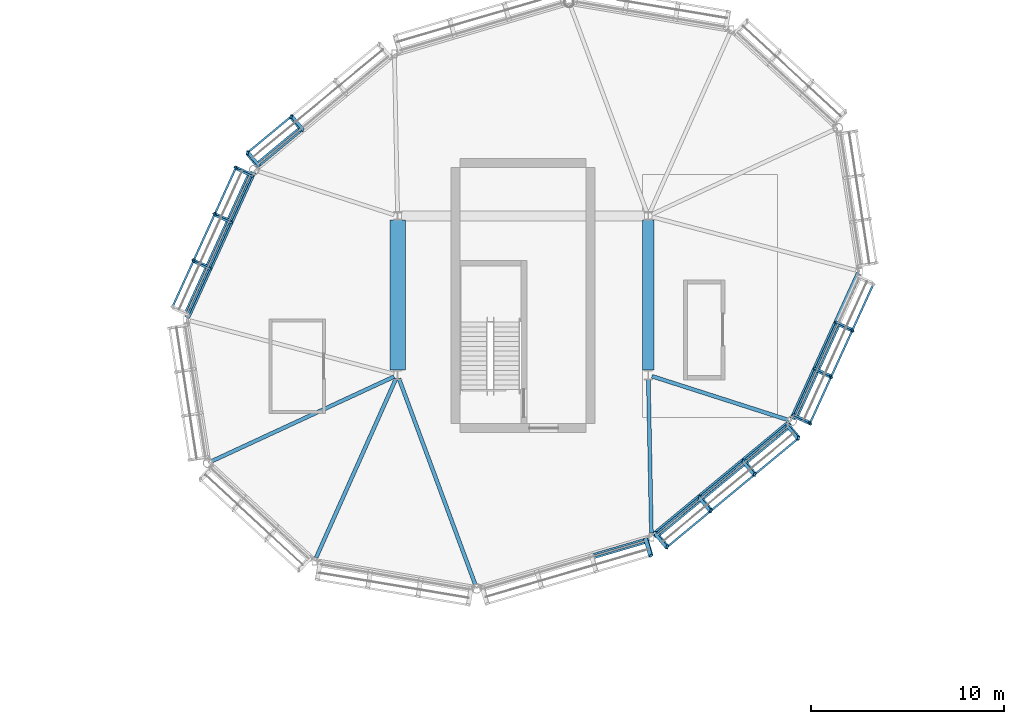
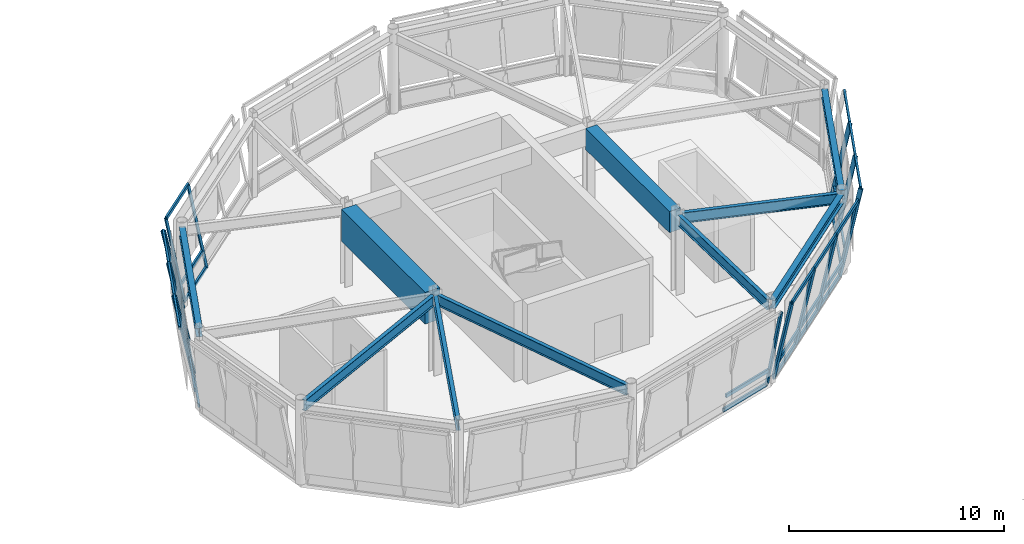
# One storey, part 56 of 94: 43 members, 10 beams, 5 elements without a shape of their own.
"""IFC4 building model written with IfcOpenShell, lengths in metres."""

from ifc_helpers import new_model, si_unit, direction, frame, origin, origin_2d, place, context, subcontext, project, spatial, rectangle, hollow_rectangle, i_section, extrude, material, material_profile, profile_set, type_object, element, aggregate, save


model = new_model("IFC4")

# Units and contexts
model_context = context("Model", 3, precision=1e-05, world=origin(), true_north=direction((0.0, 1.0)))
body_context = subcontext(model_context, "Body", "Model", "MODEL_VIEW")
ifc_project = project(units=[si_unit("LENGTHUNIT", "METRE"), si_unit("AREAUNIT", "SQUARE_METRE"), si_unit("VOLUMEUNIT", "CUBIC_METRE"), si_unit("PLANEANGLEUNIT", "RADIAN"), si_unit("MASSUNIT", "GRAM", prefix="KILO")], contexts=[model_context])

# Site, building, storey
site_placement = place(None, origin())
site = spatial("IfcSite", under=ifc_project, at=site_placement, CompositionType="ELEMENT")
building_placement = place(site_placement, origin())
building = spatial("IfcBuilding", under=site, at=building_placement, Name="Linyun Crest Stadium", CompositionType="ELEMENT")
storey_placement = place(building_placement, frame((0.0, 0.0, 16.199951171875)))
storey = spatial("IfcBuildingStorey", under=building, at=storey_placement, Name="L04", CompositionType="ELEMENT", Elevation=16.199951171875)

# Beams
ifc_material_1 = material(Name="Steel Q355C", Category="steel")
ifc_material_profile_1 = material_profile(ifc_material_1, i_section(OverallWidth=0.300048828125, OverallDepth=0.488037109375, WebThickness=0.010986328125, FlangeThickness=0.01806640625, at=origin_2d()), Name="HM 488x300")
ifc_profile_set_1 = profile_set([ifc_material_profile_1], Name="Steel Q355C")
beam_type_1 = type_object("IfcBeamType", Name="B08", PredefinedType="BEAM", material=ifc_profile_set_1)
beam_1_placement = place(storey_placement, frame((59.509033203125, 91.031005859375, 4.276123046875), z_axis=(-0.41441702614, -0.910087099373, 0.0), x_axis=(0.910087099373, -0.41441702614, 0.0)))
element("IfcBeam", 1, at=beam_1_placement, inside=storey, type_object=beam_type_1, Name="Pod ring girder B08 L04 129", PredefinedType="BEAM", context=body_context, shape_type="SweptSolid", body=[
    extrude(i_section(OverallWidth=0.300048828125, OverallDepth=0.488037109375, WebThickness=0.010986328125, FlangeThickness=0.01806640625, at=origin_2d()), origin(), (0.0, 0.0, 1.0), 8.2958984375),
])
beam_2_placement = place(storey_placement, frame((80.258056640625, 72.1640625, 4.276123046875), z_axis=(0.770371409823, 0.637595397512, 0.0), x_axis=(-0.637595397512, 0.770371409823, 0.0)))
element("IfcBeam", 2, at=beam_2_placement, inside=storey, type_object=beam_type_1, Name="Pod ring girder B08 L04 139", PredefinedType="BEAM", context=body_context, shape_type="SweptSolid", body=[
    extrude(i_section(OverallWidth=0.300048828125, OverallDepth=0.488037109375, WebThickness=0.010986328125, FlangeThickness=0.01806640625, at=origin_2d()), origin(), (0.0, 0.0, 1.0), 9.204833984375),
])
beam_3_placement = place(storey_placement, frame((87.490966796875, 78.218994140625, 4.276123046875), z_axis=(0.41441702614, 0.910087099373, 0.0), x_axis=(-0.910087099373, 0.41441702614, 0.0)))
element("IfcBeam", 3, at=beam_3_placement, inside=storey, type_object=beam_type_1, Name="Pod ring girder B08 L04 141", PredefinedType="BEAM", context=body_context, shape_type="SweptSolid", body=[
    extrude(i_section(OverallWidth=0.300048828125, OverallDepth=0.488037109375, WebThickness=0.010986328125, FlangeThickness=0.01806640625, at=origin_2d()), origin(), (0.0, 0.0, 1.0), 8.2958984375),
])
ifc_material_2 = material(Name="Steel Q355C", Category="steel")
ifc_material_profile_2 = material_profile(ifc_material_2, i_section(OverallWidth=0.199951171875, OverallDepth=0.60009765625, WebThickness=0.010986328125, FlangeThickness=0.01708984375, at=origin_2d()), Name="HN 600x200")
ifc_profile_set_2 = profile_set([ifc_material_profile_2], Name="Steel Q355C")
beam_type_2 = type_object("IfcBeamType", Name="B11", PredefinedType="BEAM", material=ifc_profile_set_2)
beam_4_placement = place(storey_placement, frame((66.819091796875, 80.416015625, 4.219970703125), z_axis=(-0.907241490816, -0.420610125106, 0.0), x_axis=(0.420610125106, -0.907241490816, 0.0)))
element("IfcBeam", 4, at=beam_4_placement, inside=storey, type_object=beam_type_2, Name="Pod radial tie girder B11 L04 134", PredefinedType="BEAM", context=body_context, shape_type="SweptSolid", body=[
    extrude(i_section(OverallWidth=0.199951171875, OverallDepth=0.60009765625, WebThickness=0.010986328125, FlangeThickness=0.01708984375, at=origin_2d()), origin(), (0.0, 0.0, 1.0), 10.420654296875),
])
beam_5_placement = place(storey_placement, frame((66.9189453125, 80.31689453125, 4.219970703125), z_axis=(-0.407495258441, -0.913207322763, 0.0), x_axis=(0.913207322763, -0.407495258441, 0.0)))
element("IfcBeam", 5, at=beam_5_placement, inside=storey, type_object=beam_type_2, Name="Pod radial tie girder B11 L04 136", PredefinedType="BEAM", context=body_context, shape_type="SweptSolid", body=[
    extrude(i_section(OverallWidth=0.199951171875, OverallDepth=0.60009765625, WebThickness=0.010986328125, FlangeThickness=0.01708984375, at=origin_2d()), origin(), (0.0, 0.0, 1.0), 10.1640625),
])
beam_6_placement = place(storey_placement, frame((67.070068359375, 80.31201171875, 4.219970703125), z_axis=(0.347593524127, -0.937645317796, 0.0), x_axis=(0.937645317796, 0.347593524127, 0.0)))
element("IfcBeam", 6, at=beam_6_placement, inside=storey, type_object=beam_type_2, Name="Pod radial tie girder B11 L04 138", PredefinedType="BEAM", context=body_context, shape_type="SweptSolid", body=[
    extrude(i_section(OverallWidth=0.199951171875, OverallDepth=0.60009765625, WebThickness=0.010986328125, FlangeThickness=0.01708984375, at=origin_2d()), origin(), (0.0, 0.0, 1.0), 11.392578125),
])
beam_7_placement = place(storey_placement, frame((80.00390625, 80.300048828125, 4.219970703125), z_axis=(0.01978842746, -0.999804189899, 0.0), x_axis=(0.999804189899, 0.01978842746, 0.0)))
element("IfcBeam", 7, at=beam_7_placement, inside=storey, type_object=beam_type_2, Name="Pod radial tie girder B11 L04 140", PredefinedType="BEAM", context=body_context, shape_type="SweptSolid", body=[
    extrude(i_section(OverallWidth=0.199951171875, OverallDepth=0.60009765625, WebThickness=0.010986328125, FlangeThickness=0.01708984375, at=origin_2d()), origin(), (0.0, 0.0, 1.0), 7.99462890625),
])
beam_8_placement = place(storey_placement, frame((80.18994140625, 80.43896484375, 4.219970703125), z_axis=(0.952088987816, -0.305821123011, 0.0), x_axis=(0.305821123011, 0.952088987816, 0.0)))
element("IfcBeam", 8, at=beam_8_placement, inside=storey, type_object=beam_type_2, Name="Pod radial tie girder B11 L04 142", PredefinedType="BEAM", context=body_context, shape_type="SweptSolid", body=[
    extrude(i_section(OverallWidth=0.199951171875, OverallDepth=0.60009765625, WebThickness=0.010986328125, FlangeThickness=0.01708984375, at=origin_2d()), origin(), (0.0, 0.0, 1.0), 7.396240234375),
])
ifc_material_3 = material(Name="Concrete C50", Category="concrete")
ifc_material_profile_3 = material_profile(ifc_material_3, rectangle(XDim=0.800048828125, YDim=1.800048828125, at=origin_2d()), Name="RCB 1800x800")
ifc_profile_set_3 = profile_set([ifc_material_profile_3], Name="Concrete C50")
beam_type_3 = type_object("IfcBeamType", Name="B14", PredefinedType="BEAM", material=ifc_profile_set_3)
beam_9_placement = place(storey_placement, frame((67.0, 80.7490234375, 3.6201171875), z_axis=(0.0, 1.0, 0.0), x_axis=(-1.0, 0.0, 0.0)))
element("IfcBeam", 9, at=beam_9_placement, inside=storey, type_object=beam_type_3, Name="Frame beam B14 L04 975", PredefinedType="BEAM", context=body_context, shape_type="SweptSolid", body=[
    extrude(rectangle(XDim=0.800048828125, YDim=1.800048828125, at=origin_2d()), origin(), (0.0, 0.0, 1.0), 7.786865234375),
])

# Curtain wall, members
ifc_material_4 = material(Name="Verdigris steel and low-E curtain wall assembly", Category="steel")
curtain_wall_type = type_object("IfcCurtainWallType", Name="MCW04", PredefinedType="NOTDEFINED", material=ifc_material_4)
curtain_wall_1_placement = place(storey_placement, origin())
curtain_wall_1 = element("IfcCurtainWall", 10, at=curtain_wall_1_placement, inside=storey, type_object=curtain_wall_type, Name="CWR-040", PredefinedType="NOTDEFINED")
ifc_material_5 = material(Name="Verdigris painted steel Q355C pod mullion", Category="steel")
ifc_material_profile_4 = material_profile(ifc_material_5, hollow_rectangle(XDim=0.1201171875, YDim=0.219970703125, WallThickness=0.008056640625, at=origin_2d()), Name="RHS 220x120x8")
ifc_profile_set_4 = profile_set([ifc_material_profile_4], Name="Verdigris painted steel Q355C pod mullion")
member_type_1 = type_object("IfcMemberType", Name="ML04", PredefinedType="MULLION", material=ifc_profile_set_4)
member_1_placement = place(storey_placement, frame((62.06103515625, 93.2109375, 0.0), z_axis=(-0.127236122693, 0.153573785527, 0.979911251839), x_axis=(-0.972616489706, 0.174405811147, -0.153622189123)))
member_1 = element("IfcMember", 11, at=member_1_placement, type_object=member_type_1, Name="CWR-040 mullion 3", PredefinedType="MULLION", context=body_context, shape_type="SweptSolid", body=[
    extrude(hollow_rectangle(XDim=0.1201171875, YDim=0.219970703125, WallThickness=0.008056640625, at=origin_2d()), origin(), (0.0, 0.0, 1.0), 4.551513671875),
])
member_2_placement = place(storey_placement, frame((59.7900390625, 91.3310546875, 0.0), z_axis=(-0.127236122693, 0.153573785527, 0.979911251839), x_axis=(-0.972616489706, 0.174405811147, -0.153622189123)))
member_2 = element("IfcMember", 12, at=member_2_placement, type_object=member_type_1, Name="CWR-040 mullion 4", PredefinedType="MULLION", context=body_context, shape_type="SweptSolid", body=[
    extrude(hollow_rectangle(XDim=0.1201171875, YDim=0.219970703125, WallThickness=0.008056640625, at=origin_2d()), origin(), (0.0, 0.0, 1.0), 4.551513671875),
])

curtain_wall_2_placement = place(storey_placement, origin())
curtain_wall_2 = element("IfcCurtainWall", 13, at=curtain_wall_2_placement, inside=storey, type_object=curtain_wall_type, Name="CWR-041", PredefinedType="NOTDEFINED")
member_3_placement = place(storey_placement, frame((59.43505859375, 90.866943359375, 0.0), z_axis=(-0.181520699528, 0.082606937728, 0.979911388587), x_axis=(-0.74666575297, -0.660042115453, -0.082671997496)))
member_3 = element("IfcMember", 14, at=member_3_placement, type_object=member_type_1, Name="CWR-041 mullion 1", PredefinedType="MULLION", context=body_context, shape_type="SweptSolid", body=[
    extrude(hollow_rectangle(XDim=0.1201171875, YDim=0.219970703125, WallThickness=0.008056640625, at=origin_2d()), origin(), (0.0, 0.0, 1.0), 4.551513671875),
])
member_4_placement = place(storey_placement, frame((58.337890625, 88.4599609375, 0.0), z_axis=(-0.181261313522, 0.08261095674, 0.979959063455), x_axis=(-0.747051740721, -0.659617384202, -0.082574833601)))
member_4 = element("IfcMember", 15, at=member_4_placement, type_object=member_type_1, Name="CWR-041 mullion 2", PredefinedType="MULLION", context=body_context, shape_type="SweptSolid", body=[
    extrude(hollow_rectangle(XDim=0.1201171875, YDim=0.219970703125, WallThickness=0.008056640625, at=origin_2d()), origin(), (0.0, 0.0, 1.0), 4.55126953125),
])
member_5_placement = place(storey_placement, frame((57.241943359375, 86.052001953125, 0.0), z_axis=(-0.18146560477, 0.082820837648, 0.979903537669), x_axis=(-0.747382072803, -0.659228893566, -0.082687986678)))
member_5 = element("IfcMember", 16, at=member_5_placement, type_object=member_type_1, Name="CWR-041 mullion 3", PredefinedType="MULLION", context=body_context, shape_type="SweptSolid", body=[
    extrude(hollow_rectangle(XDim=0.1201171875, YDim=0.219970703125, WallThickness=0.008056640625, at=origin_2d()), origin(), (0.0, 0.0, 1.0), 4.551513671875),
])

# Curtain wall, member
curtain_wall_3_placement = place(storey_placement, origin())
curtain_wall_3 = element("IfcCurtainWall", 17, at=curtain_wall_3_placement, inside=storey, type_object=curtain_wall_type, Name="CWR-045", PredefinedType="NOTDEFINED")
member_6_placement = place(storey_placement, frame((79.8779296875, 72.001953125, 0.0), z_axis=(0.056269203704, -0.191336748916, 0.97991021284), x_axis=(-0.535797721848, 0.822379546579, 0.191344408412)))
member_6 = element("IfcMember", 18, at=member_6_placement, type_object=member_type_1, Name="CWR-045 mullion 4", PredefinedType="MULLION", context=body_context, shape_type="SweptSolid", body=[
    extrude(hollow_rectangle(XDim=0.1201171875, YDim=0.219970703125, WallThickness=0.008056640625, at=origin_2d()), origin(), (0.0, 0.0, 1.0), 4.551513671875),
])

# Curtain wall, members
curtain_wall_4_placement = place(storey_placement, origin())
curtain_wall_4 = element("IfcCurtainWall", 19, at=curtain_wall_4_placement, inside=storey, type_object=curtain_wall_type, Name="CWR-046", PredefinedType="NOTDEFINED")
member_7_placement = place(storey_placement, frame((80.39697265625, 72.278076171875, 0.0), z_axis=(0.127236122693, -0.153573785527, 0.979911251839), x_axis=(-0.972616489706, 0.174405811147, 0.153622189123)))
member_7 = element("IfcMember", 20, at=member_7_placement, type_object=member_type_1, Name="CWR-046 mullion 1", PredefinedType="MULLION", context=body_context, shape_type="SweptSolid", body=[
    extrude(hollow_rectangle(XDim=0.1201171875, YDim=0.219970703125, WallThickness=0.008056640625, at=origin_2d()), origin(), (0.0, 0.0, 1.0), 4.551513671875),
])
member_8_placement = place(storey_placement, frame((82.66796875, 74.157958984375, 0.0), z_axis=(0.127236122693, -0.153573785527, 0.979911251839), x_axis=(-0.972616489706, 0.174405811147, 0.153622189123)))
member_8 = element("IfcMember", 21, at=member_8_placement, type_object=member_type_1, Name="CWR-046 mullion 2", PredefinedType="MULLION", context=body_context, shape_type="SweptSolid", body=[
    extrude(hollow_rectangle(XDim=0.1201171875, YDim=0.219970703125, WallThickness=0.008056640625, at=origin_2d()), origin(), (0.0, 0.0, 1.0), 4.551513671875),
])
member_9_placement = place(storey_placement, frame((84.93896484375, 76.0390625, 0.0), z_axis=(0.127236122693, -0.153573785527, 0.979911251839), x_axis=(-0.972616489706, 0.174405811147, 0.153622189123)))
member_9 = element("IfcMember", 22, at=member_9_placement, type_object=member_type_1, Name="CWR-046 mullion 3", PredefinedType="MULLION", context=body_context, shape_type="SweptSolid", body=[
    extrude(hollow_rectangle(XDim=0.1201171875, YDim=0.219970703125, WallThickness=0.008056640625, at=origin_2d()), origin(), (0.0, 0.0, 1.0), 4.551513671875),
])
member_10_placement = place(storey_placement, frame((87.2099609375, 77.9189453125, 0.0), z_axis=(0.127236122693, -0.153573785527, 0.979911251839), x_axis=(-0.972616489706, 0.174405811147, 0.153622189123)))
member_10 = element("IfcMember", 23, at=member_10_placement, type_object=member_type_1, Name="CWR-046 mullion 4", PredefinedType="MULLION", context=body_context, shape_type="SweptSolid", body=[
    extrude(hollow_rectangle(XDim=0.1201171875, YDim=0.219970703125, WallThickness=0.008056640625, at=origin_2d()), origin(), (0.0, 0.0, 1.0), 4.551513671875),
])

curtain_wall_5_placement = place(storey_placement, origin())
curtain_wall_5 = element("IfcCurtainWall", 24, at=curtain_wall_5_placement, inside=storey, type_object=curtain_wall_type, Name="CWR-047", PredefinedType="NOTDEFINED")
member_11_placement = place(storey_placement, frame((87.56494140625, 78.383056640625, 0.0), z_axis=(0.181520699528, -0.082606937728, 0.979911388587), x_axis=(-0.74666575297, -0.660042115453, 0.082671997496)))
member_11 = element("IfcMember", 25, at=member_11_placement, type_object=member_type_1, Name="CWR-047 mullion 1", PredefinedType="MULLION", context=body_context, shape_type="SweptSolid", body=[
    extrude(hollow_rectangle(XDim=0.1201171875, YDim=0.219970703125, WallThickness=0.008056640625, at=origin_2d()), origin(), (0.0, 0.0, 1.0), 4.551513671875),
])
member_12_placement = place(storey_placement, frame((88.662109375, 80.7900390625, 0.0), z_axis=(0.181261313522, -0.08261095674, 0.979959063455), x_axis=(-0.747051740721, -0.659617384202, 0.082574833601)))
member_12 = element("IfcMember", 26, at=member_12_placement, type_object=member_type_1, Name="CWR-047 mullion 2", PredefinedType="MULLION", context=body_context, shape_type="SweptSolid", body=[
    extrude(hollow_rectangle(XDim=0.1201171875, YDim=0.219970703125, WallThickness=0.008056640625, at=origin_2d()), origin(), (0.0, 0.0, 1.0), 4.55126953125),
])
member_13_placement = place(storey_placement, frame((89.758056640625, 83.197998046875, 0.0), z_axis=(0.18146560477, -0.082820837648, 0.979903537669), x_axis=(-0.747382072803, -0.659228893566, 0.082687986678)))
member_13 = element("IfcMember", 27, at=member_13_placement, type_object=member_type_1, Name="CWR-047 mullion 3", PredefinedType="MULLION", context=body_context, shape_type="SweptSolid", body=[
    extrude(hollow_rectangle(XDim=0.1201171875, YDim=0.219970703125, WallThickness=0.008056640625, at=origin_2d()), origin(), (0.0, 0.0, 1.0), 4.551513671875),
])

# Beam
ifc_material_6 = material(Name="Concrete C50", Category="concrete")
ifc_material_profile_5 = material_profile(ifc_material_6, rectangle(XDim=0.60009765625, YDim=1.199951171875, at=origin_2d()), Name="RCB 1200x600")
ifc_profile_set_5 = profile_set([ifc_material_profile_5], Name="Concrete C50")
beam_type_4 = type_object("IfcBeamType", Name="TB02", PredefinedType="USERDEFINED", material=ifc_profile_set_5)
beam_10_placement = place(storey_placement, frame((80.0, 80.7490234375, 3.920166015625), z_axis=(0.0, 1.0, 0.0), x_axis=(-1.0, 0.0, 0.0)))
element("IfcBeam", 28, at=beam_10_placement, inside=storey, type_object=beam_type_4, Name="Frame beam TB02 L04 976", ObjectType="GIRDER", PredefinedType="USERDEFINED", context=body_context, shape_type="SweptSolid", body=[
    extrude(rectangle(XDim=0.60009765625, YDim=1.199951171875, at=origin_2d()), origin(), (0.0, 0.0, 1.0), 7.786865234375),
])

# Member
ifc_material_7 = material(Name="Verdigris painted steel Q355C transom", Category="steel")
ifc_material_profile_6 = material_profile(ifc_material_7, hollow_rectangle(XDim=0.10009765625, YDim=0.199951171875, WallThickness=0.008056640625, at=origin_2d()), Name="RHS 200x100x8")
ifc_profile_set_6 = profile_set([ifc_material_profile_6], Name="Verdigris painted steel Q355C transom")
member_type_2 = type_object("IfcMemberType", Name="TR03", PredefinedType="USERDEFINED", material=ifc_profile_set_6)
member_14_placement = place(storey_placement, frame((62.06103515625, 93.2109375, 0.0), z_axis=(-0.770321380351, -0.63765584054, 0.0), x_axis=(0.63765584054, -0.770321380351, 0.0)))
member_14 = element("IfcMember", 29, at=member_14_placement, type_object=member_type_2, Name="CWR-040 transom 3.1", ObjectType="TRANSOM", PredefinedType="USERDEFINED", context=body_context, shape_type="SweptSolid", body=[
    extrude(hollow_rectangle(XDim=0.10009765625, YDim=0.199951171875, WallThickness=0.008056640625, at=origin_2d()), origin(), (0.0, 0.0, 1.0), 2.947998046875),
])

member_15_placement = place(storey_placement, frame((61.944091796875, 93.35205078125, 0.900146484375), z_axis=(-0.770280703464, -0.637704977142, 0.0), x_axis=(0.637704977142, -0.770280703464, 0.0)))
member_15 = element("IfcMember", 30, at=member_15_placement, type_object=member_type_2, Name="CWR-040 transom 3.2", ObjectType="TRANSOM", PredefinedType="USERDEFINED", context=body_context, shape_type="SweptSolid", body=[
    extrude(hollow_rectangle(XDim=0.10009765625, YDim=0.199951171875, WallThickness=0.008056640625, at=origin_2d()), origin(), (0.0, 0.0, 1.0), 2.9482421875),
])

member_16_placement = place(storey_placement, frame((61.48193359375, 93.909912109375, 4.4599609375), z_axis=(-0.770321380351, -0.63765584054, 0.0), x_axis=(0.63765584054, -0.770321380351, 0.0)))
member_16 = element("IfcMember", 31, at=member_16_placement, type_object=member_type_2, Name="CWR-040 transom 3.3", ObjectType="TRANSOM", PredefinedType="USERDEFINED", context=body_context, shape_type="SweptSolid", body=[
    extrude(hollow_rectangle(XDim=0.10009765625, YDim=0.199951171875, WallThickness=0.008056640625, at=origin_2d()), origin(), (0.0, 0.0, 1.0), 2.947998046875),
])

aggregate(curtain_wall_1, [member_1, member_2, member_14, member_15, member_16])

member_17_placement = place(storey_placement, frame((59.43505859375, 90.866943359375, 0.0), z_axis=(-0.414769269545, -0.909926619591, 0.0), x_axis=(0.909926619591, -0.414769269545, 0.0)))
member_17 = element("IfcMember", 32, at=member_17_placement, type_object=member_type_2, Name="CWR-041 transom 1.1", ObjectType="TRANSOM", PredefinedType="USERDEFINED", context=body_context, shape_type="SweptSolid", body=[
    extrude(hollow_rectangle(XDim=0.10009765625, YDim=0.199951171875, WallThickness=0.008056640625, at=origin_2d()), origin(), (0.0, 0.0, 1.0), 2.645263671875),
])

member_18_placement = place(storey_placement, frame((59.26806640625, 90.943115234375, 0.900146484375), z_axis=(-0.414352266897, -0.910116585343, 0.0), x_axis=(0.910116585343, -0.414352266897, 0.0)))
member_18 = element("IfcMember", 33, at=member_18_placement, type_object=member_type_2, Name="CWR-041 transom 1.2", ObjectType="TRANSOM", PredefinedType="USERDEFINED", context=body_context, shape_type="SweptSolid", body=[
    extrude(hollow_rectangle(XDim=0.10009765625, YDim=0.199951171875, WallThickness=0.008056640625, at=origin_2d()), origin(), (0.0, 0.0, 1.0), 2.64501953125),
])

member_19_placement = place(storey_placement, frame((58.60888671875, 91.242919921875, 4.4599609375), z_axis=(-0.414387078143, -0.91010073589, 0.0), x_axis=(0.91010073589, -0.414387078143, 0.0)))
member_19 = element("IfcMember", 34, at=member_19_placement, type_object=member_type_2, Name="CWR-041 transom 1.3", ObjectType="TRANSOM", PredefinedType="USERDEFINED", context=body_context, shape_type="SweptSolid", body=[
    extrude(hollow_rectangle(XDim=0.10009765625, YDim=0.199951171875, WallThickness=0.008056640625, at=origin_2d()), origin(), (0.0, 0.0, 1.0), 2.644775390625),
])

member_20_placement = place(storey_placement, frame((58.337890625, 88.4599609375, 0.0), z_axis=(-0.414247864609, -0.910164109744, 0.0), x_axis=(0.910164109744, -0.414247864609, 0.0)))
member_20 = element("IfcMember", 35, at=member_20_placement, type_object=member_type_2, Name="CWR-041 transom 2.1", ObjectType="TRANSOM", PredefinedType="USERDEFINED", context=body_context, shape_type="SweptSolid", body=[
    extrude(hollow_rectangle(XDim=0.10009765625, YDim=0.199951171875, WallThickness=0.008056640625, at=origin_2d()), origin(), (0.0, 0.0, 1.0), 2.645751953125),
])

member_21_placement = place(storey_placement, frame((58.172119140625, 88.535888671875, 0.900146484375), z_axis=(-0.414629980899, -0.909990098265, 0.0), x_axis=(0.909990098265, -0.414629980899, 0.0)))
member_21 = element("IfcMember", 36, at=member_21_placement, type_object=member_type_2, Name="CWR-041 transom 2.2", ObjectType="TRANSOM", PredefinedType="USERDEFINED", context=body_context, shape_type="SweptSolid", body=[
    extrude(hollow_rectangle(XDim=0.10009765625, YDim=0.199951171875, WallThickness=0.008056640625, at=origin_2d()), origin(), (0.0, 0.0, 1.0), 2.646240234375),
])

member_22_placement = place(storey_placement, frame((57.512939453125, 88.8359375, 4.4599609375), z_axis=(-0.414692848815, -0.90996145036, 0.0), x_axis=(0.90996145036, -0.414692848815, 0.0)))
member_22 = element("IfcMember", 37, at=member_22_placement, type_object=member_type_2, Name="CWR-041 transom 2.3", ObjectType="TRANSOM", PredefinedType="USERDEFINED", context=body_context, shape_type="SweptSolid", body=[
    extrude(hollow_rectangle(XDim=0.10009765625, YDim=0.199951171875, WallThickness=0.008056640625, at=origin_2d()), origin(), (0.0, 0.0, 1.0), 2.645263671875),
])

member_23_placement = place(storey_placement, frame((57.241943359375, 86.052001953125, 0.0), z_axis=(-0.414692848815, -0.90996145036, 0.0), x_axis=(0.90996145036, -0.414692848815, 0.0)))
member_23 = element("IfcMember", 38, at=member_23_placement, type_object=member_type_2, Name="CWR-041 transom 3.1", ObjectType="TRANSOM", PredefinedType="USERDEFINED", context=body_context, shape_type="SweptSolid", body=[
    extrude(hollow_rectangle(XDim=0.10009765625, YDim=0.199951171875, WallThickness=0.008056640625, at=origin_2d()), origin(), (0.0, 0.0, 1.0), 2.645263671875),
])

member_24_placement = place(storey_placement, frame((57.074951171875, 86.1279296875, 0.900146484375), z_axis=(-0.414692848815, -0.90996145036, 0.0), x_axis=(0.90996145036, -0.414692848815, 0.0)))
member_24 = element("IfcMember", 39, at=member_24_placement, type_object=member_type_2, Name="CWR-041 transom 3.2", ObjectType="TRANSOM", PredefinedType="USERDEFINED", context=body_context, shape_type="SweptSolid", body=[
    extrude(hollow_rectangle(XDim=0.10009765625, YDim=0.199951171875, WallThickness=0.008056640625, at=origin_2d()), origin(), (0.0, 0.0, 1.0), 2.645263671875),
])

member_25_placement = place(storey_placement, frame((56.416015625, 86.428955078125, 4.4599609375), z_axis=(-0.414553575176, -0.910024908071, 0.0), x_axis=(0.910024908071, -0.414553575176, 0.0)))
member_25 = element("IfcMember", 40, at=member_25_placement, type_object=member_type_2, Name="CWR-041 transom 3.3", ObjectType="TRANSOM", PredefinedType="USERDEFINED", context=body_context, shape_type="SweptSolid", body=[
    extrude(hollow_rectangle(XDim=0.10009765625, YDim=0.199951171875, WallThickness=0.008056640625, at=origin_2d()), origin(), (0.0, 0.0, 1.0), 2.64599609375),
])

aggregate(curtain_wall_2, [member_3, member_4, member_5, member_17, member_18, member_19, member_20, member_21, member_22, member_23, member_24, member_25])

member_26_placement = place(storey_placement, frame((77.050048828125, 71.1708984375, 0.0), z_axis=(0.959427469513, 0.28195554746, 0.0), x_axis=(-0.28195554746, 0.959427469513, 0.0)))
member_26 = element("IfcMember", 41, at=member_26_placement, type_object=member_type_2, Name="CWR-045 transom 3.1", ObjectType="TRANSOM", PredefinedType="USERDEFINED", context=body_context, shape_type="SweptSolid", body=[
    extrude(hollow_rectangle(XDim=0.10009765625, YDim=0.199951171875, WallThickness=0.008056640625, at=origin_2d()), origin(), (0.0, 0.0, 1.0), 2.947509765625),
])

member_27_placement = place(storey_placement, frame((77.10205078125, 70.9951171875, 0.900146484375), z_axis=(0.959449874016, 0.281879299083, 0.0), x_axis=(-0.281879299083, 0.959449874016, 0.0)))
member_27 = element("IfcMember", 42, at=member_27_placement, type_object=member_type_2, Name="CWR-045 transom 3.2", ObjectType="TRANSOM", PredefinedType="USERDEFINED", context=body_context, shape_type="SweptSolid", body=[
    extrude(hollow_rectangle(XDim=0.10009765625, YDim=0.199951171875, WallThickness=0.008056640625, at=origin_2d()), origin(), (0.0, 0.0, 1.0), 2.947509765625),
])

aggregate(curtain_wall_3, [member_6, member_26, member_27])

member_28_placement = place(storey_placement, frame((80.39697265625, 72.278076171875, 0.0), z_axis=(0.770321380351, 0.63765584054, 0.0), x_axis=(-0.63765584054, 0.770321380351, 0.0)))
member_28 = element("IfcMember", 43, at=member_28_placement, type_object=member_type_2, Name="CWR-046 transom 1.1", ObjectType="TRANSOM", PredefinedType="USERDEFINED", context=body_context, shape_type="SweptSolid", body=[
    extrude(hollow_rectangle(XDim=0.10009765625, YDim=0.199951171875, WallThickness=0.008056640625, at=origin_2d()), origin(), (0.0, 0.0, 1.0), 2.947998046875),
])

member_29_placement = place(storey_placement, frame((80.513916015625, 72.136962890625, 0.900146484375), z_axis=(0.770280703464, 0.637704977142, 0.0), x_axis=(-0.637704977142, 0.770280703464, 0.0)))
member_29 = element("IfcMember", 44, at=member_29_placement, type_object=member_type_2, Name="CWR-046 transom 1.2", ObjectType="TRANSOM", PredefinedType="USERDEFINED", context=body_context, shape_type="SweptSolid", body=[
    extrude(hollow_rectangle(XDim=0.10009765625, YDim=0.199951171875, WallThickness=0.008056640625, at=origin_2d()), origin(), (0.0, 0.0, 1.0), 2.9482421875),
])

member_30_placement = place(storey_placement, frame((80.97607421875, 71.5791015625, 4.4599609375), z_axis=(0.770321380351, 0.63765584054, 0.0), x_axis=(-0.63765584054, 0.770321380351, 0.0)))
member_30 = element("IfcMember", 45, at=member_30_placement, type_object=member_type_2, Name="CWR-046 transom 1.3", ObjectType="TRANSOM", PredefinedType="USERDEFINED", context=body_context, shape_type="SweptSolid", body=[
    extrude(hollow_rectangle(XDim=0.10009765625, YDim=0.199951171875, WallThickness=0.008056640625, at=origin_2d()), origin(), (0.0, 0.0, 1.0), 2.947998046875),
])

member_31_placement = place(storey_placement, frame((82.66796875, 74.157958984375, 0.0), z_axis=(0.770118007544, 0.637901445724, 0.0), x_axis=(-0.637901445724, 0.770118007544, 0.0)))
member_31 = element("IfcMember", 46, at=member_31_placement, type_object=member_type_2, Name="CWR-046 transom 2.1", ObjectType="TRANSOM", PredefinedType="USERDEFINED", context=body_context, shape_type="SweptSolid", body=[
    extrude(hollow_rectangle(XDim=0.10009765625, YDim=0.199951171875, WallThickness=0.008056640625, at=origin_2d()), origin(), (0.0, 0.0, 1.0), 2.948974609375),
])

member_32_placement = place(storey_placement, frame((82.784912109375, 74.01708984375, 0.900146484375), z_axis=(0.770158679778, 0.63785234025, 0.0), x_axis=(-0.63785234025, 0.770158679778, 0.0)))
member_32 = element("IfcMember", 47, at=member_32_placement, type_object=member_type_2, Name="CWR-046 transom 2.2", ObjectType="TRANSOM", PredefinedType="USERDEFINED", context=body_context, shape_type="SweptSolid", body=[
    extrude(hollow_rectangle(XDim=0.10009765625, YDim=0.199951171875, WallThickness=0.008056640625, at=origin_2d()), origin(), (0.0, 0.0, 1.0), 2.94873046875),
])

member_33_placement = place(storey_placement, frame((83.2470703125, 73.458984375, 4.4599609375), z_axis=(0.770118007544, 0.637901445724, 0.0), x_axis=(-0.637901445724, 0.770118007544, 0.0)))
member_33 = element("IfcMember", 48, at=member_33_placement, type_object=member_type_2, Name="CWR-046 transom 2.3", ObjectType="TRANSOM", PredefinedType="USERDEFINED", context=body_context, shape_type="SweptSolid", body=[
    extrude(hollow_rectangle(XDim=0.10009765625, YDim=0.199951171875, WallThickness=0.008056640625, at=origin_2d()), origin(), (0.0, 0.0, 1.0), 2.948974609375),
])

member_34_placement = place(storey_placement, frame((84.93896484375, 76.0390625, 0.0), z_axis=(0.770321380351, 0.63765584054, 0.0), x_axis=(-0.63765584054, 0.770321380351, 0.0)))
member_34 = element("IfcMember", 49, at=member_34_placement, type_object=member_type_2, Name="CWR-046 transom 3.1", ObjectType="TRANSOM", PredefinedType="USERDEFINED", context=body_context, shape_type="SweptSolid", body=[
    extrude(hollow_rectangle(XDim=0.10009765625, YDim=0.199951171875, WallThickness=0.008056640625, at=origin_2d()), origin(), (0.0, 0.0, 1.0), 2.947998046875),
])

member_35_placement = place(storey_placement, frame((85.055908203125, 75.89794921875, 0.900146484375), z_axis=(0.770280703464, 0.637704977142, 0.0), x_axis=(-0.637704977142, 0.770280703464, 0.0)))
member_35 = element("IfcMember", 50, at=member_35_placement, type_object=member_type_2, Name="CWR-046 transom 3.2", ObjectType="TRANSOM", PredefinedType="USERDEFINED", context=body_context, shape_type="SweptSolid", body=[
    extrude(hollow_rectangle(XDim=0.10009765625, YDim=0.199951171875, WallThickness=0.008056640625, at=origin_2d()), origin(), (0.0, 0.0, 1.0), 2.9482421875),
])

member_36_placement = place(storey_placement, frame((85.51806640625, 75.340087890625, 4.4599609375), z_axis=(0.770321380351, 0.63765584054, 0.0), x_axis=(-0.63765584054, 0.770321380351, 0.0)))
member_36 = element("IfcMember", 51, at=member_36_placement, type_object=member_type_2, Name="CWR-046 transom 3.3", ObjectType="TRANSOM", PredefinedType="USERDEFINED", context=body_context, shape_type="SweptSolid", body=[
    extrude(hollow_rectangle(XDim=0.10009765625, YDim=0.199951171875, WallThickness=0.008056640625, at=origin_2d()), origin(), (0.0, 0.0, 1.0), 2.947998046875),
])

aggregate(curtain_wall_4, [member_7, member_8, member_9, member_10, member_28, member_29, member_30, member_31, member_32, member_33, member_34, member_35, member_36])

member_37_placement = place(storey_placement, frame((87.56494140625, 78.383056640625, 0.0), z_axis=(0.414769269545, 0.909926619591, 0.0), x_axis=(-0.909926619591, 0.414769269545, 0.0)))
member_37 = element("IfcMember", 52, at=member_37_placement, type_object=member_type_2, Name="CWR-047 transom 1.1", ObjectType="TRANSOM", PredefinedType="USERDEFINED", context=body_context, shape_type="SweptSolid", body=[
    extrude(hollow_rectangle(XDim=0.10009765625, YDim=0.199951171875, WallThickness=0.008056640625, at=origin_2d()), origin(), (0.0, 0.0, 1.0), 2.645263671875),
])

member_38_placement = place(storey_placement, frame((87.73193359375, 78.306884765625, 0.900146484375), z_axis=(0.414352266897, 0.910116585343, 0.0), x_axis=(-0.910116585343, 0.414352266897, 0.0)))
member_38 = element("IfcMember", 53, at=member_38_placement, type_object=member_type_2, Name="CWR-047 transom 1.2", ObjectType="TRANSOM", PredefinedType="USERDEFINED", context=body_context, shape_type="SweptSolid", body=[
    extrude(hollow_rectangle(XDim=0.10009765625, YDim=0.199951171875, WallThickness=0.008056640625, at=origin_2d()), origin(), (0.0, 0.0, 1.0), 2.64501953125),
])

member_39_placement = place(storey_placement, frame((88.39111328125, 78.007080078125, 4.4599609375), z_axis=(0.414387078143, 0.91010073589, 0.0), x_axis=(-0.91010073589, 0.414387078143, 0.0)))
member_39 = element("IfcMember", 54, at=member_39_placement, type_object=member_type_2, Name="CWR-047 transom 1.3", ObjectType="TRANSOM", PredefinedType="USERDEFINED", context=body_context, shape_type="SweptSolid", body=[
    extrude(hollow_rectangle(XDim=0.10009765625, YDim=0.199951171875, WallThickness=0.008056640625, at=origin_2d()), origin(), (0.0, 0.0, 1.0), 2.644775390625),
])

member_40_placement = place(storey_placement, frame((88.662109375, 80.7900390625, 0.0), z_axis=(0.414247864609, 0.910164109744, 0.0), x_axis=(-0.910164109744, 0.414247864609, 0.0)))
member_40 = element("IfcMember", 55, at=member_40_placement, type_object=member_type_2, Name="CWR-047 transom 2.1", ObjectType="TRANSOM", PredefinedType="USERDEFINED", context=body_context, shape_type="SweptSolid", body=[
    extrude(hollow_rectangle(XDim=0.10009765625, YDim=0.199951171875, WallThickness=0.008056640625, at=origin_2d()), origin(), (0.0, 0.0, 1.0), 2.645751953125),
])

member_41_placement = place(storey_placement, frame((88.827880859375, 80.714111328125, 0.900146484375), z_axis=(0.414629980899, 0.909990098265, 0.0), x_axis=(-0.909990098265, 0.414629980899, 0.0)))
member_41 = element("IfcMember", 56, at=member_41_placement, type_object=member_type_2, Name="CWR-047 transom 2.2", ObjectType="TRANSOM", PredefinedType="USERDEFINED", context=body_context, shape_type="SweptSolid", body=[
    extrude(hollow_rectangle(XDim=0.10009765625, YDim=0.199951171875, WallThickness=0.008056640625, at=origin_2d()), origin(), (0.0, 0.0, 1.0), 2.646240234375),
])

member_42_placement = place(storey_placement, frame((89.487060546875, 80.4140625, 4.4599609375), z_axis=(0.414692848815, 0.90996145036, 0.0), x_axis=(-0.90996145036, 0.414692848815, 0.0)))
member_42 = element("IfcMember", 57, at=member_42_placement, type_object=member_type_2, Name="CWR-047 transom 2.3", ObjectType="TRANSOM", PredefinedType="USERDEFINED", context=body_context, shape_type="SweptSolid", body=[
    extrude(hollow_rectangle(XDim=0.10009765625, YDim=0.199951171875, WallThickness=0.008056640625, at=origin_2d()), origin(), (0.0, 0.0, 1.0), 2.645263671875),
])

member_43_placement = place(storey_placement, frame((90.583984375, 82.821044921875, 4.4599609375), z_axis=(0.414553575176, 0.910024908071, 0.0), x_axis=(-0.910024908071, 0.414553575176, 0.0)))
member_43 = element("IfcMember", 58, at=member_43_placement, type_object=member_type_2, Name="CWR-047 transom 3.3", ObjectType="TRANSOM", PredefinedType="USERDEFINED", context=body_context, shape_type="SweptSolid", body=[
    extrude(hollow_rectangle(XDim=0.10009765625, YDim=0.199951171875, WallThickness=0.008056640625, at=origin_2d()), origin(), (0.0, 0.0, 1.0), 2.64599609375),
])

aggregate(curtain_wall_5, [member_11, member_12, member_13, member_37, member_38, member_39, member_40, member_41, member_42, member_43])

save(model, "model.ifc")
